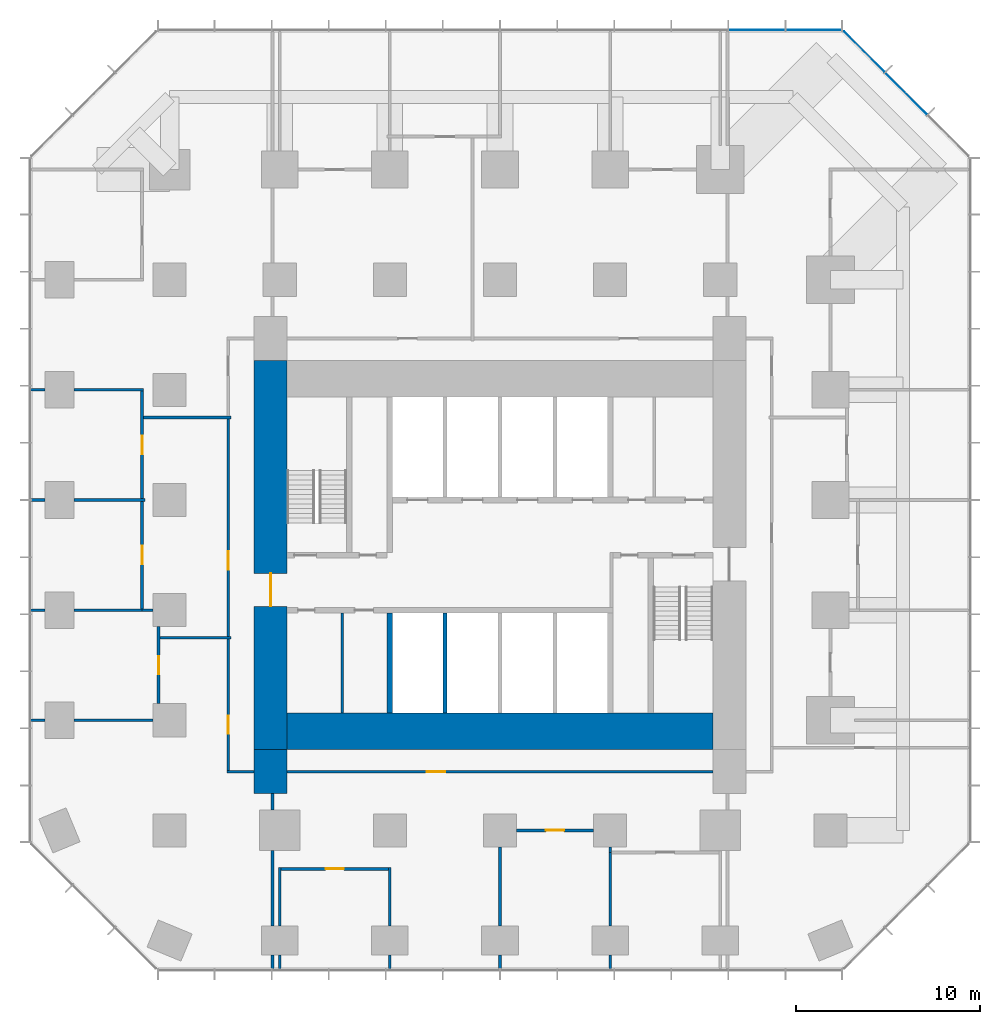
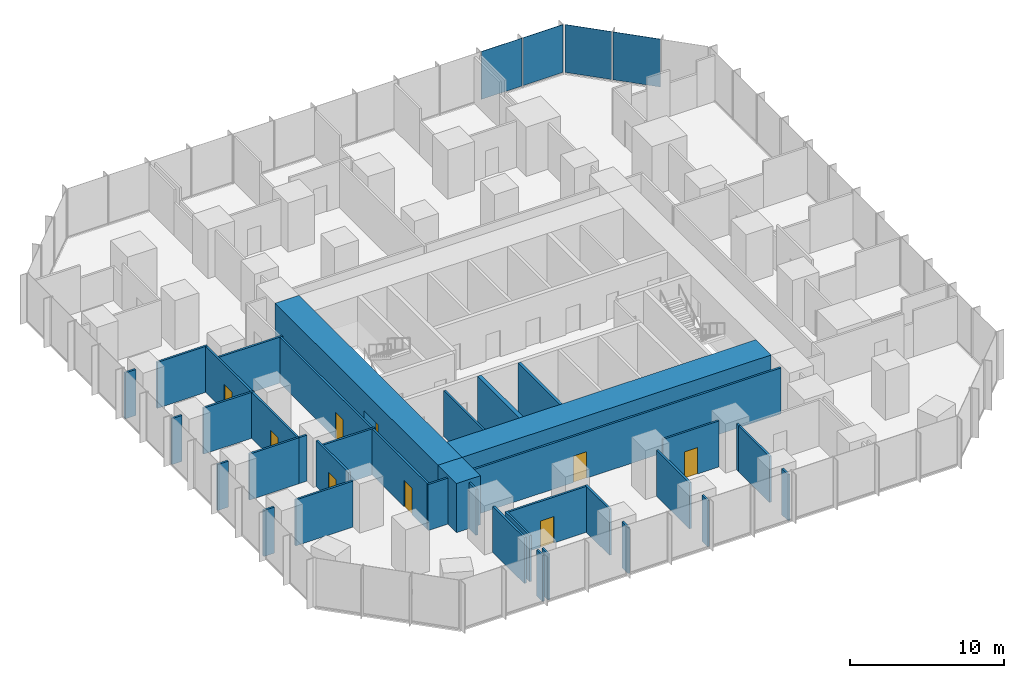
# One storey, part 8 of 12: 38 walls, 9 doors, 4 plates, 9 openings, 2 elements without a shape of their own.
"""IFC4 building model written with IfcOpenShell, lengths in metres."""

from ifc_helpers import new_model, si_unit, direction, frame, frame_2d, origin, origin_2d, place, context, subcontext, project, spatial, rectangle, extrude, material, layer, layer_set, type_object, element, fill, aggregate, save


model = new_model("IFC4")

# Units and contexts
model_context = context("Model", 3, precision=1e-05, world=origin(), true_north=direction((0.0, 1.0)))
body_context = subcontext(model_context, "Body", "Model", "MODEL_VIEW")
ifc_project = project(units=[si_unit("LENGTHUNIT", "METRE"), si_unit("AREAUNIT", "SQUARE_METRE"), si_unit("VOLUMEUNIT", "CUBIC_METRE"), si_unit("PLANEANGLEUNIT", "RADIAN"), si_unit("MASSUNIT", "GRAM", prefix="KILO")], contexts=[model_context])

# Site, building, storey
site_placement = place(None, origin())
site = spatial("IfcSite", under=ifc_project, at=site_placement, CompositionType="ELEMENT")
building_placement = place(site_placement, origin())
building = spatial("IfcBuilding", under=site, at=building_placement, Name="Highveld Stack Headquarters", CompositionType="ELEMENT")
storey_placement = place(building_placement, frame((0.0, 0.0, 68.89990234375)))
storey = spatial("IfcBuildingStorey", under=building, at=storey_placement, Name="L16", CompositionType="ELEMENT", Elevation=68.89990234375)

# Curtain wall, plates
ifc_material_1 = material(Name="Aluminium bronze anodised", Category="aluminium")
ifc_layer_1 = layer(ifc_material_1, 0.199951171875)
ifc_layer_set_1 = layer_set([ifc_layer_1], Name="Aluminium bronze anodised")
curtain_wall_type_1 = type_object("IfcCurtainWallType", Name="CW1 TOWER UNITISED CURTAIN WALL", PredefinedType="NOTDEFINED", material=ifc_layer_set_1)
curtain_wall_1_placement = place(storey_placement, origin())
curtain_wall_1 = element("IfcCurtainWall", 1, at=curtain_wall_1_placement, inside=storey, type_object=curtain_wall_type_1, Name="Curtain wall CW1 L16 N", PredefinedType="NOTDEFINED")
ifc_material_2 = material(Name="Glass bronze tinted double glazed unit", Category="glass")
ifc_layer_2 = layer(ifc_material_2, 0.028076171875)
ifc_layer_set_2 = layer_set([ifc_layer_2], Name="Glass bronze tinted double glazed unit")
plate_type_1 = type_object("IfcPlateType", Name="CW1 PANEL BRONZE TINTED DOUBLE GLAZED UNIT", PredefinedType="CURTAIN_PANEL", material=ifc_layer_set_2)
plate_1_placement = place(storey_placement, frame((23.09130859375, 31.60009765625, 0.10009765625), z_axis=(0.0, 0.0, 1.0), x_axis=(-1.0, 0.0, 0.0)))
plate_1 = element("IfcPlate", 2, at=plate_1_placement, type_object=plate_type_1, Name="CW1 panel L16 1.1", PredefinedType="CURTAIN_PANEL", context=body_context, shape_type="SweptSolid", body=[
    extrude(rectangle(XDim=3.012939453125, YDim=0.028076171875, at=origin_2d()), origin(), (0.0, 0.0, 1.0), 3.800048828125),
])
plate_2_placement = place(storey_placement, frame((19.9970703125, 31.60009765625, 0.10009765625), z_axis=(0.0, 0.0, 1.0), x_axis=(-1.0, 0.0, 0.0)))
plate_2 = element("IfcPlate", 3, at=plate_2_placement, type_object=plate_type_1, Name="CW1 panel L16 2.1", PredefinedType="CURTAIN_PANEL", context=body_context, shape_type="SweptSolid", body=[
    extrude(rectangle(XDim=3.04541015625, YDim=0.028076171875, at=origin_2d()), origin(), (0.0, 0.0, 1.0), 3.800048828125),
])
aggregate(curtain_wall_1, [plate_1, plate_2])

ifc_material_3 = material(Name="Aluminium bronze anodised", Category="aluminium")
ifc_layer_3 = layer(ifc_material_3, 0.199951171875)
ifc_layer_set_3 = layer_set([ifc_layer_3], Name="Aluminium bronze anodised")
curtain_wall_type_2 = type_object("IfcCurtainWallType", Name="CW2 TOWER CHAMFER UNITISED CURTAIN WALL", PredefinedType="NOTDEFINED", material=ifc_layer_set_3)
curtain_wall_2_placement = place(storey_placement, origin())
curtain_wall_2 = element("IfcCurtainWall", 4, at=curtain_wall_2_placement, inside=storey, type_object=curtain_wall_type_2, Name="Curtain wall CW2 L16 NE", PredefinedType="NOTDEFINED")
ifc_material_4 = material(Name="Glass bronze tinted double glazed unit", Category="glass")
ifc_layer_4 = layer(ifc_material_4, 0.028076171875)
ifc_layer_set_4 = layer_set([ifc_layer_4], Name="Glass bronze tinted double glazed unit")
plate_type_2 = type_object("IfcPlateType", Name="CW2 PANEL BRONZE TINTED DOUBLE GLAZED UNIT", PredefinedType="CURTAIN_PANEL", material=ifc_layer_set_4)
plate_3_placement = place(storey_placement, frame((28.13134765625, 28.13134765625, 0.10009765625), z_axis=(0.0, 0.0, 1.0), x_axis=(-0.707106781187, 0.707106781187, 0.0)))
plate_3 = element("IfcPlate", 5, at=plate_3_placement, type_object=plate_type_2, Name="CW2 panel L16 2.1", PredefinedType="CURTAIN_PANEL", context=body_context, shape_type="SweptSolid", body=[
    extrude(rectangle(XDim=3.205322265625, YDim=0.028076171875, at=origin_2d()), origin(), (0.0, 0.0, 1.0), 3.800048828125),
])
plate_4_placement = place(storey_placement, frame((25.8427734375, 30.419921875, 0.10009765625), z_axis=(0.0, 0.0, 1.0), x_axis=(-0.707106781187, 0.707106781187, 0.0)))
plate_4 = element("IfcPlate", 6, at=plate_4_placement, type_object=plate_type_2, Name="CW2 panel L16 3.1", PredefinedType="CURTAIN_PANEL", context=body_context, shape_type="SweptSolid", body=[
    extrude(rectangle(XDim=3.1376953125, YDim=0.028076171875, at=origin_2d()), origin(), (0.0, 0.0, 1.0), 3.800048828125),
])
aggregate(curtain_wall_2, [plate_3, plate_4])

# Wall, opening, door
ifc_material_5 = material(Name="Concrete C60/75", Category="concrete")
ifc_layer_5 = layer(ifc_material_5, 1.800048828125)
ifc_layer_set_5 = layer_set([ifc_layer_5], Name="Concrete C60/75")
wall_type_1 = type_object("IfcWallType", Name="CORE WALL 1800 C60/75", PredefinedType="SHEAR", material=ifc_layer_set_5)
wall_1_placement = place(storey_placement, frame((-6.5, -7.60009765625, 0.0), z_axis=(0.0, 0.0, 1.0), x_axis=(0.0, 1.0, 0.0)))
wall_1 = element("IfcWall", 7, at=wall_1_placement, inside=storey, type_object=wall_type_1, Name="Core wall W L16", PredefinedType="SHEAR", context=body_context, shape_type="SweptSolid", body=[
    extrude(rectangle(XDim=21.2001953125, YDim=1.800048828125, at=frame_2d((10.60009765625, 0.0))), origin(), (0.0, 0.0, 1.0), 3.900146484375),
])
opening_1_placement = place(wall_1_placement, frame((7.800048828125, 0.0, 0.0)))
opening_1 = element("IfcOpeningElement", 8, at=opening_1_placement, cuts=wall_1, Name="Opening L16-01", PredefinedType="OPENING", context=body_context, shape_type="SweptSolid", body=[
    extrude(rectangle(XDim=1.800048828125, YDim=2.39990234375, at=frame_2d((0.89990234375, 1.199951171875))), frame((0.0, 0.909912109375, 0.0), z_axis=(0.0, -1.0, 0.0), x_axis=(1.0, 0.0, 0.0)), (0.0, 0.0, 1.0), 1.820068359375),
])
ifc_material_6 = material(Name="Steel fire door", Category="steel")
door_type_1 = type_object("IfcDoorType", Name="LOBBY FIRE DOOR D4 1800x2400", OperationType="DOUBLE_DOOR_SINGLE_SWING", PredefinedType="DOOR", material=ifc_material_6)
door_1_placement = place(opening_1_placement, origin())
door_1 = element("IfcDoor", 9, at=door_1_placement, inside=storey, type_object=door_type_1, Name="Core west door L16", OperationType="DOUBLE_DOOR_SINGLE_SWING", OverallHeight=2.39990234375, OverallWidth=1.800048828125, PredefinedType="DOOR", context=body_context, shape_type="SweptSolid", body=[
    extrude(rectangle(XDim=1.800048828125, YDim=2.39990234375, at=frame_2d((0.89990234375, 1.199951171875))), frame((0.0, 0.02490234375, 0.0), z_axis=(0.0, -1.0, 0.0), x_axis=(1.0, 0.0, 0.0)), (0.0, 0.0, 1.0), 0.050048828125),
])
fill(opening_1, door_1)

# Walls
ifc_material_7 = material(Name="Concrete C60/75", Category="concrete")
ifc_layer_6 = layer(ifc_material_7, 2.0)
ifc_layer_set_6 = layer_set([ifc_layer_6], Name="Concrete C60/75")
wall_type_2 = type_object("IfcWallType", Name="CORE WALL 2000 C60/75", PredefinedType="SHEAR", material=ifc_layer_set_6)
wall_2_placement = place(storey_placement, frame((-5.60009765625, -6.60009765625, 0.0), z_axis=(0.0, 0.0, 1.0), x_axis=(1.0, 0.0, 0.0)))
element("IfcWall", 10, at=wall_2_placement, inside=storey, type_object=wall_type_2, Name="Core wall S L16", PredefinedType="SHEAR", context=body_context, shape_type="SweptSolid", body=[
    extrude(rectangle(XDim=23.2001953125, YDim=2.0, at=frame_2d((11.60009765625, 0.0))), origin(), (0.0, 0.0, 1.0), 3.900146484375),
])
ifc_material_8 = material(Name="Concrete C60/75", Category="concrete")
ifc_layer_7 = layer(ifc_material_8, 0.300048828125)
ifc_layer_set_7 = layer_set([ifc_layer_7], Name="Concrete C60/75")
wall_type_3 = type_object("IfcWallType", Name="CORE WALL 300 C60/75", PredefinedType="SHEAR", material=ifc_layer_set_7)
wall_3_placement = place(storey_placement, frame((0.0, -5.60009765625, 0.0), z_axis=(0.0, 0.0, 1.0), x_axis=(0.0, 1.0, 0.0)))
element("IfcWall", 11, at=wall_3_placement, inside=storey, type_object=wall_type_3, Name="Core wall I-X0S L16", PredefinedType="SHEAR", context=body_context, shape_type="SweptSolid", body=[
    extrude(rectangle(XDim=5.4501953125, YDim=0.300048828125, at=frame_2d((2.72509765625, 0.0))), origin(), (0.0, 0.0, 1.0), 3.900146484375),
])
ifc_material_9 = material(Name="Concrete C60/75", Category="concrete")
ifc_layer_8 = layer(ifc_material_9, 1.800048828125)
ifc_layer_set_8 = layer_set([ifc_layer_8], Name="Concrete C60/75")
wall_type_4 = type_object("IfcWallType", Name="CORE WING WALL 1800 C60/75", PredefinedType="SHEAR", material=ifc_layer_set_8)
wall_4_placement = place(storey_placement, frame((-6.5, -10.0, 0.0), z_axis=(0.0, 0.0, 1.0), x_axis=(0.0, 1.0, 0.0)))
element("IfcWall", 12, at=wall_4_placement, inside=storey, type_object=wall_type_4, Name="Core wing wall WS L16", PredefinedType="SHEAR", context=body_context, shape_type="SweptSolid", body=[
    extrude(rectangle(XDim=2.39990234375, YDim=1.800048828125, at=frame_2d((1.199951171875, 0.0))), origin(), (0.0, 0.0, 1.0), 3.900146484375),
])

# Wall, opening, door
ifc_material_10 = material(Name="Laminated glass in aluminium frame", Category="aluminium")
ifc_layer_9 = layer(ifc_material_10, 0.14990234375)
ifc_layer_set_9 = layer_set([ifc_layer_9], Name="Laminated glass in aluminium frame")
wall_type_5 = type_object("IfcWallType", Name="GLAZED PARTITION 150", PredefinedType="PARTITIONING", material=ifc_layer_set_9)
wall_5_placement = place(storey_placement, frame((-12.60009765625, -5.10009765625, 0.0), z_axis=(0.0, 0.0, 1.0), x_axis=(0.0, 1.0, 0.0)))
wall_5 = element("IfcWall", 13, at=wall_5_placement, inside=storey, type_object=wall_type_5, Name="Glazed partition Video conference room L16", PredefinedType="PARTITIONING", context=body_context, shape_type="SweptSolid", body=[
    extrude(rectangle(XDim=4.2001953125, YDim=0.14990234375, at=frame_2d((2.10009765625, 0.0))), origin(), (0.0, 0.0, 1.0), 3.650146484375),
])
opening_2_placement = place(wall_5_placement, frame((1.60009765625, 0.0, 0.0)))
opening_2 = element("IfcOpeningElement", 14, at=opening_2_placement, cuts=wall_5, Name="Opening L16-14", PredefinedType="OPENING", context=body_context, shape_type="SweptSolid", body=[
    extrude(rectangle(XDim=1.0, YDim=2.10009765625, at=frame_2d((0.5, 1.050048828125))), frame((0.0, 0.0849609375, 0.0), z_axis=(0.0, -1.0, 0.0), x_axis=(1.0, 0.0, 0.0)), (0.0, 0.0, 1.0), 0.169921875),
])
ifc_material_11 = material(Name="Timber door, oiled ash", Category="wood")
door_type_2 = type_object("IfcDoorType", Name="ROOM DOOR D6 1000x2100", OperationType="SINGLE_SWING_LEFT", PredefinedType="DOOR", material=ifc_material_11)
door_2_placement = place(opening_2_placement, origin())
door_2 = element("IfcDoor", 15, at=door_2_placement, inside=storey, type_object=door_type_2, Name="Video conference room door 1 L16", OperationType="SINGLE_SWING_LEFT", OverallHeight=2.10009765625, OverallWidth=1.0, PredefinedType="DOOR", context=body_context, shape_type="SweptSolid", body=[
    extrude(rectangle(XDim=1.0, YDim=2.10009765625, at=frame_2d((0.5, 1.050048828125))), frame((0.0, 0.02490234375, 0.0), z_axis=(0.0, -1.0, 0.0), x_axis=(1.0, 0.0, 0.0)), (0.0, 0.0, 1.0), 0.050048828125),
])
fill(opening_2, door_2)

# Wall
ifc_material_12 = material(Name="Concrete blockwork, fair-faced", Category="masonry")
ifc_layer_10 = layer(ifc_material_12, 0.199951171875)
ifc_layer_set_10 = layer_set([ifc_layer_10], Name="Concrete blockwork, fair-faced")
wall_type_6 = type_object("IfcWallType", Name="LIFT SHAFT ENCLOSURE WALL 200 BLOCKWORK", PredefinedType="SOLIDWALL", material=ifc_layer_set_10)
wall_6_placement = place(storey_placement, frame((3.0, -5.60009765625, 0.0), z_axis=(0.0, 0.0, 1.0), x_axis=(0.0, 1.0, 0.0)))
element("IfcWall", 16, at=wall_6_placement, inside=storey, type_object=wall_type_6, Name="Lift shaft wall L16", PredefinedType="SOLIDWALL", context=body_context, shape_type="SweptSolid", body=[
    extrude(rectangle(XDim=5.4501953125, YDim=0.199951171875, at=frame_2d((2.72509765625, 0.0))), origin(), (0.0, 0.0, 1.0), 3.900146484375),
])

# Wall, opening, door
ifc_material_13 = material(Name="Gypsum plasterboard on steel studs", Category="steel")
ifc_layer_11 = layer(ifc_material_13, 0.14990234375)
ifc_layer_set_11 = layer_set([ifc_layer_11], Name="Gypsum plasterboard on steel studs")
wall_type_7 = type_object("IfcWallType", Name="PARTITION 150 PLASTERBOARD", PredefinedType="PARTITIONING", material=ifc_layer_set_11)
wall_7_placement = place(storey_placement, frame((-5.925048828125, -14.10009765625, 0.0), z_axis=(0.0, 0.0, 1.0), x_axis=(1.0, 0.0, 0.0)))
wall_7 = element("IfcWall", 17, at=wall_7_placement, inside=storey, type_object=wall_type_7, Name="Partition Focus room L16", PredefinedType="PARTITIONING", context=body_context, shape_type="SweptSolid", body=[
    extrude(rectangle(XDim=5.85009765625, YDim=0.14990234375, at=frame_2d((2.925048828125, 0.0))), origin(), (0.0, 0.0, 1.0), 3.650146484375),
])
opening_3_placement = place(wall_7_placement, frame((2.425048828125, 0.0, 0.0)))
opening_3 = element("IfcOpeningElement", 18, at=opening_3_placement, cuts=wall_7, Name="Opening L16-11", PredefinedType="OPENING", context=body_context, shape_type="SweptSolid", body=[
    extrude(rectangle(XDim=1.0, YDim=2.10009765625, at=frame_2d((0.5, 1.050048828125))), frame((0.0, 0.0849609375, 0.0), z_axis=(0.0, -1.0, 0.0), x_axis=(1.0, 0.0, 0.0)), (0.0, 0.0, 1.0), 0.169921875),
])
door_3_placement = place(opening_3_placement, origin())
door_3 = element("IfcDoor", 19, at=door_3_placement, inside=storey, type_object=door_type_2, Name="Focus room door 1 L16", OperationType="SINGLE_SWING_LEFT", OverallHeight=2.10009765625, OverallWidth=1.0, PredefinedType="DOOR", context=body_context, shape_type="SweptSolid", body=[
    extrude(rectangle(XDim=1.0, YDim=2.10009765625, at=frame_2d((0.5, 1.050048828125))), frame((0.0, 0.02490234375, 0.0), z_axis=(0.0, -1.0, 0.0), x_axis=(1.0, 0.0, 0.0)), (0.0, 0.0, 1.0), 0.050048828125),
])
fill(opening_3, door_3)

wall_8_placement = place(storey_placement, frame((6.89990234375, -12.0, 0.0), z_axis=(0.0, 0.0, 1.0), x_axis=(1.0, 0.0, 0.0)))
wall_8 = element("IfcWall", 20, at=wall_8_placement, inside=storey, type_object=wall_type_7, Name="Partition Office L16", PredefinedType="PARTITIONING", context=body_context, shape_type="SweptSolid", body=[
    extrude(rectangle(XDim=4.2001953125, YDim=0.14990234375, at=frame_2d((2.10009765625, 0.0))), origin(), (0.0, 0.0, 1.0), 3.650146484375),
])
opening_4_placement = place(wall_8_placement, frame((1.60009765625, 0.0, 0.0)))
opening_4 = element("IfcOpeningElement", 21, at=opening_4_placement, cuts=wall_8, Name="Opening L16-12", PredefinedType="OPENING", context=body_context, shape_type="SweptSolid", body=[
    extrude(rectangle(XDim=1.0, YDim=2.10009765625, at=frame_2d((0.5, 1.050048828125))), frame((0.0, 0.0849609375, 0.0), z_axis=(0.0, -1.0, 0.0), x_axis=(1.0, 0.0, 0.0)), (0.0, 0.0, 1.0), 0.169921875),
])
door_4_placement = place(opening_4_placement, origin())
door_4 = element("IfcDoor", 22, at=door_4_placement, inside=storey, type_object=door_type_2, Name="Office door 1 L16", OperationType="SINGLE_SWING_LEFT", OverallHeight=2.10009765625, OverallWidth=1.0, PredefinedType="DOOR", context=body_context, shape_type="SweptSolid", body=[
    extrude(rectangle(XDim=1.0, YDim=2.10009765625, at=frame_2d((0.5, 1.050048828125))), frame((0.0, 0.02490234375, 0.0), z_axis=(0.0, -1.0, 0.0), x_axis=(1.0, 0.0, 0.0)), (0.0, 0.0, 1.0), 0.050048828125),
])
fill(opening_4, door_4)

# Walls
wall_9_placement = place(storey_placement, frame((-19.60009765625, -6.0, 0.0), z_axis=(0.0, 0.0, 1.0), x_axis=(1.0, 0.0, 0.0)))
element("IfcWall", 23, at=wall_9_placement, inside=storey, type_object=wall_type_7, Name="Partition Video conference room L16", PredefinedType="PARTITIONING", context=body_context, shape_type="SweptSolid", body=[
    extrude(rectangle(XDim=0.800048828125, YDim=0.14990234375, at=frame_2d((0.39990234375, 0.0))), origin(), (0.0, 0.0, 1.0), 3.650146484375),
])
wall_10_placement = place(storey_placement, frame((-17.199951171875, -6.0, 0.0), z_axis=(0.0, 0.0, 1.0), x_axis=(1.0, 0.0, 0.0)))
element("IfcWall", 24, at=wall_10_placement, inside=storey, type_object=wall_type_7, Name="Partition Video conference room L16", PredefinedType="PARTITIONING", context=body_context, shape_type="SweptSolid", body=[
    extrude(rectangle(XDim=4.300048828125, YDim=0.14990234375, at=frame_2d((2.14990234375, 0.0))), origin(), (0.0, 0.0, 1.0), 3.650146484375),
])
wall_11_placement = place(storey_placement, frame((-19.60009765625, 0.0, 0.0), z_axis=(0.0, 0.0, 1.0), x_axis=(1.0, 0.0, 0.0)))
element("IfcWall", 25, at=wall_11_placement, inside=storey, type_object=wall_type_7, Name="Partition Quiet room / Video conference room L16", PredefinedType="PARTITIONING", context=body_context, shape_type="SweptSolid", body=[
    extrude(rectangle(XDim=0.800048828125, YDim=0.14990234375, at=frame_2d((0.39990234375, 0.0))), origin(), (0.0, 0.0, 1.0), 3.650146484375),
])
wall_12_placement = place(storey_placement, frame((-17.199951171875, 0.0, 0.0), z_axis=(0.0, 0.0, 1.0), x_axis=(1.0, 0.0, 0.0)))
element("IfcWall", 26, at=wall_12_placement, inside=storey, type_object=wall_type_7, Name="Partition Quiet room / Video conference room L16", PredefinedType="PARTITIONING", context=body_context, shape_type="SweptSolid", body=[
    extrude(rectangle(XDim=3.77490234375, YDim=0.14990234375, at=frame_2d((1.887451171875, 0.0))), origin(), (0.0, 0.0, 1.0), 3.650146484375),
])
wall_13_placement = place(storey_placement, frame((-13.5, 0.0, 0.0), z_axis=(0.0, 0.0, 1.0), x_axis=(1.0, 0.0, 0.0)))
element("IfcWall", 27, at=wall_13_placement, inside=storey, type_object=wall_type_7, Name="Partition Video conference room L16", PredefinedType="PARTITIONING", context=body_context, shape_type="SweptSolid", body=[
    extrude(rectangle(XDim=0.60009765625, YDim=0.14990234375, at=frame_2d((0.300048828125, 0.0))), origin(), (0.0, 0.0, 1.0), 3.650146484375),
])
wall_14_placement = place(storey_placement, frame((-19.550048828125, 6.0, 0.0), z_axis=(0.0, 0.0, 1.0), x_axis=(1.0, 0.0, 0.0)))
element("IfcWall", 28, at=wall_14_placement, inside=storey, type_object=wall_type_7, Name="Partition Quiet room L16", PredefinedType="PARTITIONING", context=body_context, shape_type="SweptSolid", body=[
    extrude(rectangle(XDim=0.75, YDim=0.14990234375, at=frame_2d((0.375, 0.0))), origin(), (0.0, 0.0, 1.0), 3.650146484375),
])
wall_15_placement = place(storey_placement, frame((-17.199951171875, 6.0, 0.0), z_axis=(0.0, 0.0, 1.0), x_axis=(1.0, 0.0, 0.0)))
element("IfcWall", 29, at=wall_15_placement, inside=storey, type_object=wall_type_7, Name="Partition Quiet room L16", PredefinedType="PARTITIONING", context=body_context, shape_type="SweptSolid", body=[
    extrude(rectangle(XDim=3.849853515625, YDim=0.14990234375, at=frame_2d((1.9248046875, 0.0))), origin(), (0.0, 0.0, 1.0), 3.650146484375),
])
wall_16_placement = place(storey_placement, frame((-19.60009765625, 12.0, 0.0), z_axis=(0.0, 0.0, 1.0), x_axis=(1.0, 0.0, 0.0)))
element("IfcWall", 30, at=wall_16_placement, inside=storey, type_object=wall_type_7, Name="Partition Quiet room L16", PredefinedType="PARTITIONING", context=body_context, shape_type="SweptSolid", body=[
    extrude(rectangle(XDim=0.800048828125, YDim=0.14990234375, at=frame_2d((0.39990234375, 0.0))), origin(), (0.0, 0.0, 1.0), 3.650146484375),
])
wall_17_placement = place(storey_placement, frame((-17.199951171875, 12.0, 0.0), z_axis=(0.0, 0.0, 1.0), x_axis=(1.0, 0.0, 0.0)))
element("IfcWall", 31, at=wall_17_placement, inside=storey, type_object=wall_type_7, Name="Partition Quiet room L16", PredefinedType="PARTITIONING", context=body_context, shape_type="SweptSolid", body=[
    extrude(rectangle(XDim=3.77490234375, YDim=0.14990234375, at=frame_2d((1.887451171875, 0.0))), origin(), (0.0, 0.0, 1.0), 3.650146484375),
])

# Wall, opening, door
wall_18_placement = place(storey_placement, frame((-13.5, 0.074951171875, 0.0), z_axis=(0.0, 0.0, 1.0), x_axis=(0.0, 1.0, 0.0)))
wall_18 = element("IfcWall", 32, at=wall_18_placement, inside=storey, type_object=wall_type_7, Name="Partition Quiet room L16", PredefinedType="PARTITIONING", context=body_context, shape_type="SweptSolid", body=[
    extrude(rectangle(XDim=5.85009765625, YDim=0.14990234375, at=frame_2d((2.925048828125, 0.0))), origin(), (0.0, 0.0, 1.0), 3.650146484375),
])
opening_5_placement = place(wall_18_placement, frame((2.425048828125, 0.0, 0.0)))
opening_5 = element("IfcOpeningElement", 33, at=opening_5_placement, cuts=wall_18, Name="Opening L16-15", PredefinedType="OPENING", context=body_context, shape_type="SweptSolid", body=[
    extrude(rectangle(XDim=1.0, YDim=2.10009765625, at=frame_2d((0.5, 1.050048828125))), frame((0.0, 0.0849609375, 0.0), z_axis=(0.0, -1.0, 0.0), x_axis=(1.0, 0.0, 0.0)), (0.0, 0.0, 1.0), 0.169921875),
])
door_5_placement = place(opening_5_placement, origin())
door_5 = element("IfcDoor", 34, at=door_5_placement, inside=storey, type_object=door_type_2, Name="Quiet room door 1 L16", OperationType="SINGLE_SWING_RIGHT", OverallHeight=2.10009765625, OverallWidth=1.0, PredefinedType="DOOR", context=body_context, shape_type="SweptSolid", body=[
    extrude(rectangle(XDim=1.0, YDim=2.10009765625, at=frame_2d((0.5, 1.050048828125))), frame((0.0, 0.02490234375, 0.0), z_axis=(0.0, -1.0, 0.0), x_axis=(1.0, 0.0, 0.0)), (0.0, 0.0, 1.0), 0.050048828125),
])
fill(opening_5, door_5)

wall_19_placement = place(storey_placement, frame((-13.5, 6.074951171875, 0.0), z_axis=(0.0, 0.0, 1.0), x_axis=(0.0, 1.0, 0.0)))
wall_19 = element("IfcWall", 35, at=wall_19_placement, inside=storey, type_object=wall_type_7, Name="Partition Quiet room L16", PredefinedType="PARTITIONING", context=body_context, shape_type="SweptSolid", body=[
    extrude(rectangle(XDim=5.85009765625, YDim=0.14990234375, at=frame_2d((2.925048828125, 0.0))), origin(), (0.0, 0.0, 1.0), 3.650146484375),
])
opening_6_placement = place(wall_19_placement, frame((2.425048828125, 0.0, 0.0)))
opening_6 = element("IfcOpeningElement", 36, at=opening_6_placement, cuts=wall_19, Name="Opening L16-16", PredefinedType="OPENING", context=body_context, shape_type="SweptSolid", body=[
    extrude(rectangle(XDim=1.0, YDim=2.10009765625, at=frame_2d((0.5, 1.050048828125))), frame((0.0, 0.0849609375, 0.0), z_axis=(0.0, -1.0, 0.0), x_axis=(1.0, 0.0, 0.0)), (0.0, 0.0, 1.0), 0.169921875),
])
door_6_placement = place(opening_6_placement, origin())
door_6 = element("IfcDoor", 37, at=door_6_placement, inside=storey, type_object=door_type_2, Name="Quiet room door 1 L16", OperationType="SINGLE_SWING_RIGHT", OverallHeight=2.10009765625, OverallWidth=1.0, PredefinedType="DOOR", context=body_context, shape_type="SweptSolid", body=[
    extrude(rectangle(XDim=1.0, YDim=2.10009765625, at=frame_2d((0.5, 1.050048828125))), frame((0.0, 0.02490234375, 0.0), z_axis=(0.0, -1.0, 0.0), x_axis=(1.0, 0.0, 0.0)), (0.0, 0.0, 1.0), 0.050048828125),
])
fill(opening_6, door_6)

# Walls
wall_20_placement = place(storey_placement, frame((-6.0, -19.60009765625, 0.0), z_axis=(0.0, 0.0, 1.0), x_axis=(0.0, 1.0, 0.0)))
element("IfcWall", 38, at=wall_20_placement, inside=storey, type_object=wall_type_7, Name="Partition Focus room L16", PredefinedType="PARTITIONING", context=body_context, shape_type="SweptSolid", body=[
    extrude(rectangle(XDim=0.800048828125, YDim=0.14990234375, at=frame_2d((0.39990234375, 0.0))), origin(), (0.0, 0.0, 1.0), 3.650146484375),
])
wall_21_placement = place(storey_placement, frame((-6.0, -17.199951171875, 0.0), z_axis=(0.0, 0.0, 1.0), x_axis=(0.0, 1.0, 0.0)))
element("IfcWall", 39, at=wall_21_placement, inside=storey, type_object=wall_type_7, Name="Partition Focus room L16", PredefinedType="PARTITIONING", context=body_context, shape_type="SweptSolid", body=[
    extrude(rectangle(XDim=3.175048828125, YDim=0.14990234375, at=frame_2d((1.58740234375, 0.0))), origin(), (0.0, 0.0, 1.0), 3.650146484375),
])
wall_22_placement = place(storey_placement, frame((0.0, -19.60009765625, 0.0), z_axis=(0.0, 0.0, 1.0), x_axis=(0.0, 1.0, 0.0)))
element("IfcWall", 40, at=wall_22_placement, inside=storey, type_object=wall_type_7, Name="Partition Focus room L16", PredefinedType="PARTITIONING", context=body_context, shape_type="SweptSolid", body=[
    extrude(rectangle(XDim=0.800048828125, YDim=0.14990234375, at=frame_2d((0.39990234375, 0.0))), origin(), (0.0, 0.0, 1.0), 3.650146484375),
])
wall_23_placement = place(storey_placement, frame((0.0, -17.199951171875, 0.0), z_axis=(0.0, 0.0, 1.0), x_axis=(0.0, 1.0, 0.0)))
element("IfcWall", 41, at=wall_23_placement, inside=storey, type_object=wall_type_7, Name="Partition Focus room L16", PredefinedType="PARTITIONING", context=body_context, shape_type="SweptSolid", body=[
    extrude(rectangle(XDim=3.175048828125, YDim=0.14990234375, at=frame_2d((1.58740234375, 0.0))), origin(), (0.0, 0.0, 1.0), 3.650146484375),
])
wall_24_placement = place(storey_placement, frame((6.0, -19.550048828125, 0.0), z_axis=(0.0, 0.0, 1.0), x_axis=(0.0, 1.0, 0.0)))
element("IfcWall", 42, at=wall_24_placement, inside=storey, type_object=wall_type_7, Name="Partition Office L16", PredefinedType="PARTITIONING", context=body_context, shape_type="SweptSolid", body=[
    extrude(rectangle(XDim=0.75, YDim=0.14990234375, at=frame_2d((0.375, 0.0))), origin(), (0.0, 0.0, 1.0), 3.650146484375),
])
wall_25_placement = place(storey_placement, frame((6.0, -17.199951171875, 0.0), z_axis=(0.0, 0.0, 1.0), x_axis=(0.0, 1.0, 0.0)))
element("IfcWall", 43, at=wall_25_placement, inside=storey, type_object=wall_type_7, Name="Partition Office L16", PredefinedType="PARTITIONING", context=body_context, shape_type="SweptSolid", body=[
    extrude(rectangle(XDim=4.300048828125, YDim=0.14990234375, at=frame_2d((2.14990234375, 0.0))), origin(), (0.0, 0.0, 1.0), 3.650146484375),
])
wall_26_placement = place(storey_placement, frame((12.0, -19.60009765625, 0.0), z_axis=(0.0, 0.0, 1.0), x_axis=(0.0, 1.0, 0.0)))
element("IfcWall", 44, at=wall_26_placement, inside=storey, type_object=wall_type_7, Name="Partition Office / Tea kitchen L16", PredefinedType="PARTITIONING", context=body_context, shape_type="SweptSolid", body=[
    extrude(rectangle(XDim=0.800048828125, YDim=0.14990234375, at=frame_2d((0.39990234375, 0.0))), origin(), (0.0, 0.0, 1.0), 3.650146484375),
])
wall_27_placement = place(storey_placement, frame((12.0, -17.199951171875, 0.0), z_axis=(0.0, 0.0, 1.0), x_axis=(0.0, 1.0, 0.0)))
element("IfcWall", 45, at=wall_27_placement, inside=storey, type_object=wall_type_7, Name="Partition Office / Tea kitchen L16", PredefinedType="PARTITIONING", context=body_context, shape_type="SweptSolid", body=[
    extrude(rectangle(XDim=4.0, YDim=0.14990234375, at=frame_2d((2.0, 0.0))), origin(), (0.0, 0.0, 1.0), 3.650146484375),
])
wall_28_placement = place(storey_placement, frame((12.0, -13.199951171875, 0.0), z_axis=(0.0, 0.0, 1.0), x_axis=(0.0, 1.0, 0.0)))
element("IfcWall", 46, at=wall_28_placement, inside=storey, type_object=wall_type_7, Name="Partition Office L16", PredefinedType="PARTITIONING", context=body_context, shape_type="SweptSolid", body=[
    extrude(rectangle(XDim=0.300048828125, YDim=0.14990234375, at=frame_2d((0.14990234375, 0.0))), origin(), (0.0, 0.0, 1.0), 3.650146484375),
])
wall_29_placement = place(storey_placement, frame((-13.425048828125, 10.5, 0.0), z_axis=(0.0, 0.0, 1.0), x_axis=(1.0, 0.0, 0.0)))
element("IfcWall", 47, at=wall_29_placement, inside=storey, type_object=wall_type_7, Name="Partition office neighbourhood L16", PredefinedType="PARTITIONING", context=body_context, shape_type="SweptSolid", body=[
    extrude(rectangle(XDim=4.775146484375, YDim=0.14990234375, at=frame_2d((2.3876953125, 0.0))), origin(), (0.0, 0.0, 1.0), 3.650146484375),
])
wall_30_placement = place(storey_placement, frame((-12.52490234375, -1.5, 0.0), z_axis=(0.0, 0.0, 1.0), x_axis=(1.0, 0.0, 0.0)))
element("IfcWall", 48, at=wall_30_placement, inside=storey, type_object=wall_type_7, Name="Partition office neighbourhood L16", PredefinedType="PARTITIONING", context=body_context, shape_type="SweptSolid", body=[
    extrude(rectangle(XDim=3.875, YDim=0.14990234375, at=frame_2d((1.9375, 0.0))), origin(), (0.0, 0.0, 1.0), 3.650146484375),
])

# Wall, opening, door
wall_31_placement = place(storey_placement, frame((-8.800048828125, -8.72509765625, 0.0), z_axis=(0.0, 0.0, 1.0), x_axis=(0.0, 1.0, 0.0)))
wall_31 = element("IfcWall", 49, at=wall_31_placement, inside=storey, type_object=wall_type_7, Name="Partition office neighbourhood L16", PredefinedType="PARTITIONING", context=body_context, shape_type="SweptSolid", body=[
    extrude(rectangle(XDim=7.150146484375, YDim=0.14990234375, at=frame_2d((3.5751953125, 0.0))), origin(), (0.0, 0.0, 1.0), 3.650146484375),
])
opening_7_placement = place(wall_31_placement, frame((1.97998046875, 0.0, 0.0)))
opening_7 = element("IfcOpeningElement", 50, at=opening_7_placement, cuts=wall_31, Name="Opening L16-26", PredefinedType="OPENING", context=body_context, shape_type="SweptSolid", body=[
    extrude(rectangle(XDim=1.0, YDim=2.10009765625, at=frame_2d((0.5, 1.050048828125))), frame((0.0, 0.0849609375, 0.0), z_axis=(0.0, -1.0, 0.0), x_axis=(1.0, 0.0, 0.0)), (0.0, 0.0, 1.0), 0.169921875),
])
door_7_placement = place(opening_7_placement, origin())
door_7 = element("IfcDoor", 51, at=door_7_placement, inside=storey, type_object=door_type_2, Name="Office neighbourhood door L16", OperationType="SINGLE_SWING_LEFT", OverallHeight=2.10009765625, OverallWidth=1.0, PredefinedType="DOOR", context=body_context, shape_type="SweptSolid", body=[
    extrude(rectangle(XDim=1.0, YDim=2.10009765625, at=frame_2d((0.5, 1.050048828125))), frame((0.0, 0.02490234375, 0.0), z_axis=(0.0, -1.0, 0.0), x_axis=(1.0, 0.0, 0.0)), (0.0, 0.0, 1.0), 0.050048828125),
])
fill(opening_7, door_7)

# Wall
wall_32_placement = place(storey_placement, frame((-8.875, -8.800048828125, 0.0), z_axis=(0.0, 0.0, 1.0), x_axis=(1.0, 0.0, 0.0)))
element("IfcWall", 52, at=wall_32_placement, inside=storey, type_object=wall_type_7, Name="Partition office neighbourhood L16", PredefinedType="PARTITIONING", context=body_context, shape_type="SweptSolid", body=[
    extrude(rectangle(XDim=1.47509765625, YDim=0.14990234375, at=frame_2d((0.737548828125, 0.0))), origin(), (0.0, 0.0, 1.0), 3.650146484375),
])

# Wall, opening, door
wall_33_placement = place(storey_placement, frame((-8.800048828125, -1.425048828125, 0.0), z_axis=(0.0, 0.0, 1.0), x_axis=(0.0, 1.0, 0.0)))
wall_33 = element("IfcWall", 53, at=wall_33_placement, inside=storey, type_object=wall_type_7, Name="Partition office neighbourhood L16", PredefinedType="PARTITIONING", context=body_context, shape_type="SweptSolid", body=[
    extrude(rectangle(XDim=11.85009765625, YDim=0.14990234375, at=frame_2d((5.925048828125, 0.0))), origin(), (0.0, 0.0, 1.0), 3.650146484375),
])
opening_8_placement = place(wall_33_placement, frame((3.625, 0.0, 0.0)))
opening_8 = element("IfcOpeningElement", 54, at=opening_8_placement, cuts=wall_33, Name="Opening L16-28", PredefinedType="OPENING", context=body_context, shape_type="SweptSolid", body=[
    extrude(rectangle(XDim=1.0, YDim=2.10009765625, at=frame_2d((0.5, 1.050048828125))), frame((0.0, 0.0849609375, 0.0), z_axis=(0.0, -1.0, 0.0), x_axis=(1.0, 0.0, 0.0)), (0.0, 0.0, 1.0), 0.169921875),
])
door_8_placement = place(opening_8_placement, origin())
door_8 = element("IfcDoor", 55, at=door_8_placement, inside=storey, type_object=door_type_2, Name="Office neighbourhood door L16", OperationType="SINGLE_SWING_LEFT", OverallHeight=2.10009765625, OverallWidth=1.0, PredefinedType="DOOR", context=body_context, shape_type="SweptSolid", body=[
    extrude(rectangle(XDim=1.0, YDim=2.10009765625, at=frame_2d((0.5, 1.050048828125))), frame((0.0, 0.02490234375, 0.0), z_axis=(0.0, -1.0, 0.0), x_axis=(1.0, 0.0, 0.0)), (0.0, 0.0, 1.0), 0.050048828125),
])
fill(opening_8, door_8)

# Walls
wall_34_placement = place(storey_placement, frame((-6.39990234375, -19.550048828125, 0.0), z_axis=(0.0, 0.0, 1.0), x_axis=(0.0, 1.0, 0.0)))
element("IfcWall", 56, at=wall_34_placement, inside=storey, type_object=wall_type_7, Name="Partition office neighbourhood L16", PredefinedType="PARTITIONING", context=body_context, shape_type="SweptSolid", body=[
    extrude(rectangle(XDim=0.75, YDim=0.14990234375, at=frame_2d((0.375, 0.0))), origin(), (0.0, 0.0, 1.0), 3.650146484375),
])
wall_35_placement = place(storey_placement, frame((-6.39990234375, -17.199951171875, 0.0), z_axis=(0.0, 0.0, 1.0), x_axis=(0.0, 1.0, 0.0)))
element("IfcWall", 57, at=wall_35_placement, inside=storey, type_object=wall_type_7, Name="Partition office neighbourhood L16", PredefinedType="PARTITIONING", context=body_context, shape_type="SweptSolid", body=[
    extrude(rectangle(XDim=4.099853515625, YDim=0.14990234375, at=frame_2d((2.0498046875, 0.0))), origin(), (0.0, 0.0, 1.0), 3.650146484375),
])
wall_36_placement = place(storey_placement, frame((-6.39990234375, -10.89990234375, 0.0), z_axis=(0.0, 0.0, 1.0), x_axis=(0.0, 1.0, 0.0)))
element("IfcWall", 58, at=wall_36_placement, inside=storey, type_object=wall_type_7, Name="Partition office neighbourhood L16", PredefinedType="PARTITIONING", context=body_context, shape_type="SweptSolid", body=[
    extrude(rectangle(XDim=0.89990234375, YDim=0.14990234375, at=frame_2d((0.449951171875, 0.0))), origin(), (0.0, 0.0, 1.0), 3.650146484375),
])

# Wall, opening, door
wall_37_placement = place(storey_placement, frame((-5.60009765625, -8.800048828125, 0.0), z_axis=(0.0, 0.0, 1.0), x_axis=(1.0, 0.0, 0.0)))
wall_37 = element("IfcWall", 59, at=wall_37_placement, inside=storey, type_object=wall_type_7, Name="Partition office neighbourhood L16", PredefinedType="PARTITIONING", context=body_context, shape_type="SweptSolid", body=[
    extrude(rectangle(XDim=23.2001953125, YDim=0.14990234375, at=frame_2d((11.60009765625, 0.0))), origin(), (0.0, 0.0, 1.0), 3.650146484375),
])
opening_9_placement = place(wall_37_placement, frame((7.6201171875, 0.0, 0.0)))
opening_9 = element("IfcOpeningElement", 60, at=opening_9_placement, cuts=wall_37, Name="Opening L16-25", PredefinedType="OPENING", context=body_context, shape_type="SweptSolid", body=[
    extrude(rectangle(XDim=1.0, YDim=2.10009765625, at=frame_2d((0.5, 1.050048828125))), frame((0.0, 0.0849609375, 0.0), z_axis=(0.0, -1.0, 0.0), x_axis=(1.0, 0.0, 0.0)), (0.0, 0.0, 1.0), 0.169921875),
])
door_9_placement = place(opening_9_placement, origin())
door_9 = element("IfcDoor", 61, at=door_9_placement, inside=storey, type_object=door_type_2, Name="Office neighbourhood door L16", OperationType="SINGLE_SWING_LEFT", OverallHeight=2.10009765625, OverallWidth=1.0, PredefinedType="DOOR", context=body_context, shape_type="SweptSolid", body=[
    extrude(rectangle(XDim=1.0, YDim=2.10009765625, at=frame_2d((0.5, 1.050048828125))), frame((0.0, 0.02490234375, 0.0), z_axis=(0.0, -1.0, 0.0), x_axis=(1.0, 0.0, 0.0)), (0.0, 0.0, 1.0), 0.050048828125),
])
fill(opening_9, door_9)

# Wall
ifc_material_14 = material(Name="Concrete blockwork, tiled", Category="masonry")
ifc_layer_12 = layer(ifc_material_14, 0.14990234375)
ifc_layer_set_12 = layer_set([ifc_layer_12], Name="Concrete blockwork, tiled")
wall_type_8 = type_object("IfcWallType", Name="WC PARTITION 150", PredefinedType="PLUMBINGWALL", material=ifc_layer_set_12)
wall_38_placement = place(storey_placement, frame((-2.60009765625, -5.60009765625, 0.0), z_axis=(0.0, 0.0, 1.0), x_axis=(0.0, 1.0, 0.0)))
element("IfcWall", 62, at=wall_38_placement, inside=storey, type_object=wall_type_8, Name="Toilet partition L16", PredefinedType="PLUMBINGWALL", context=body_context, shape_type="SweptSolid", body=[
    extrude(rectangle(XDim=5.4501953125, YDim=0.14990234375, at=frame_2d((2.72509765625, 0.0))), origin(), (0.0, 0.0, 1.0), 3.650146484375),
])

save(model, "model.ifc")
